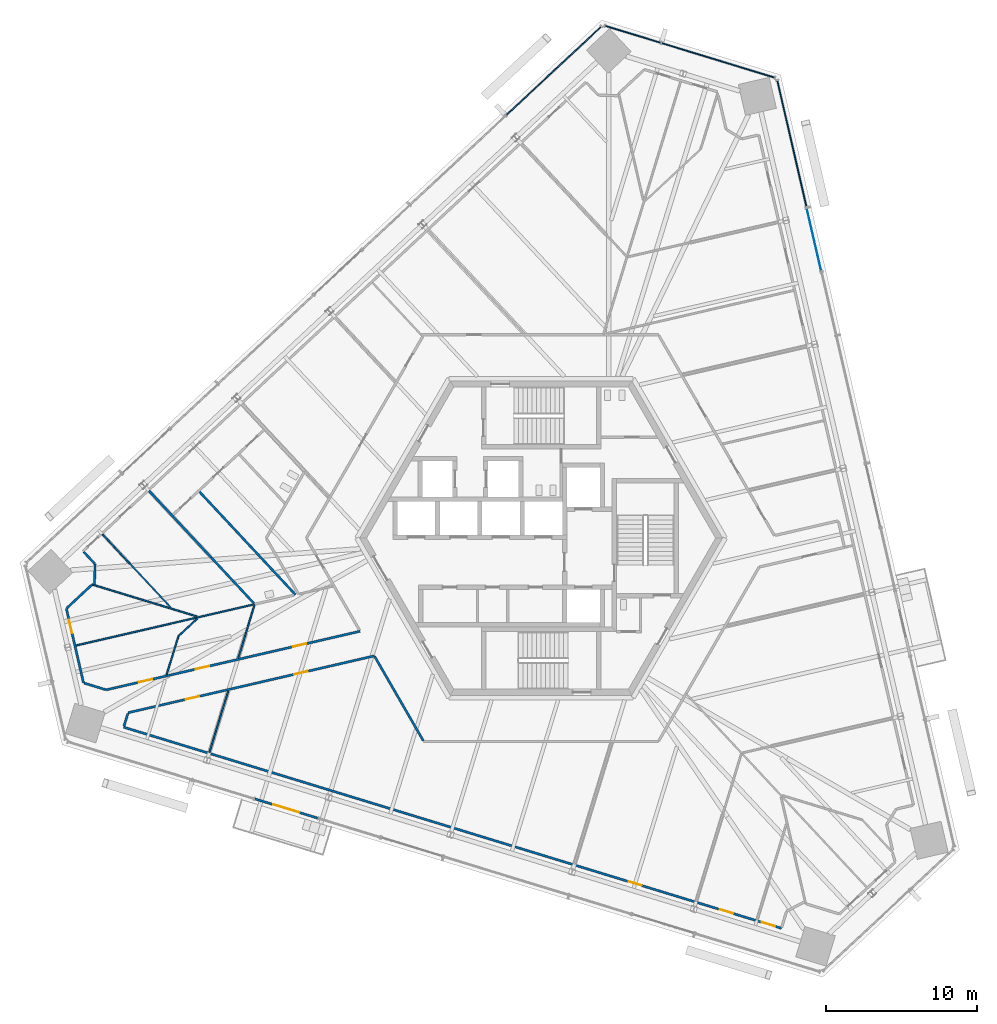
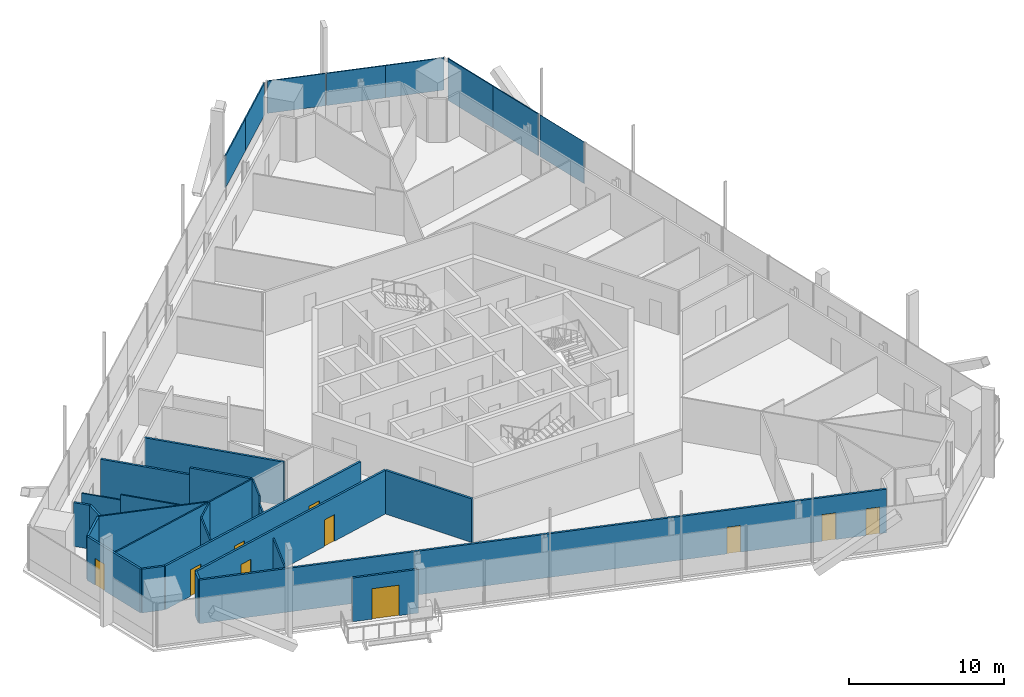
# One storey, part 12 of 24: 23 walls, 10 doors, 8 plates, 10 openings, 4 elements without a shape of their own.
"""IFC4 building model written with IfcOpenShell, lengths in metres."""

from ifc_helpers import new_model, si_unit, direction, frame, frame_2d, origin, origin_2d, place, context, subcontext, project, spatial, rectangle, extrude, source, transform, mapped, material, layer, layer_set, type_object, element, fill, aggregate, save


model = new_model("IFC4")

# Units and contexts
model_context = context("Model", 3, precision=1e-05, world=origin(), true_north=direction((0.0, 1.0)))
body_context = subcontext(model_context, "Body", "Model", "MODEL_VIEW")
ifc_project = project(units=[si_unit("LENGTHUNIT", "METRE"), si_unit("AREAUNIT", "SQUARE_METRE"), si_unit("VOLUMEUNIT", "CUBIC_METRE"), si_unit("PLANEANGLEUNIT", "RADIAN"), si_unit("MASSUNIT", "GRAM", prefix="KILO")], contexts=[model_context])

# Site, building, storey
site_placement = place(None, origin())
site = spatial("IfcSite", under=ifc_project, at=site_placement, CompositionType="ELEMENT")
building_placement = place(site_placement, origin())
building = spatial("IfcBuilding", under=site, at=building_placement, Name="Triune Harvest Tower", CompositionType="ELEMENT")
storey_placement = place(building_placement, frame((0.0, 0.0, 127.10009765625)))
storey = spatial("IfcBuildingStorey", under=building, at=storey_placement, Name="L32", CompositionType="ELEMENT", Elevation=127.10009765625)

# Curtain wall, plates
ifc_material_1 = material(Name="Aluminium bronze anodised", Category="aluminium")
curtain_wall_type_1 = type_object("IfcCurtainWallType", Name="CW-7 Tower stick curtain wall with insulated spandrel infill", PredefinedType="NOTDEFINED", material=ifc_material_1)
curtain_wall_1_placement = place(storey_placement, origin())
curtain_wall_1 = element("IfcCurtainWall", 1, at=curtain_wall_1_placement, inside=storey, type_object=curtain_wall_type_1, Name="CW-7 B3-F3 L32 run 1")
ifc_material_2 = material(Name="Insulated spandrel panel, bronze aluminium pan", Category="aluminium")
ifc_layer_1 = layer(ifc_material_2, 0.080078125)
ifc_layer_set_1 = layer_set([ifc_layer_1], Name="Insulated spandrel panel, bronze aluminium pan")
plate_type_1 = type_object("IfcPlateType", Name="SP-1 insulated spandrel panel 80", PredefinedType="CURTAIN_PANEL", material=ifc_layer_set_1)
shared_shape_1 = source(origin(), body_context, "Body", "SweptSolid", [
    extrude(rectangle(XDim=4.263427734375, YDim=0.080078125, at=origin_2d()), origin(), (0.0, 0.0, 1.0), 2.5400390625),
])
plate_1_placement = place(storey_placement, frame((2.40283203125, 32.35498046875, 0.89990234375), z_axis=(0.0, 0.0, 1.0), x_axis=(-0.731354894691, -0.681997080647, 0.0)))
plate_1 = element("IfcPlate", 2, at=plate_1_placement, type_object=plate_type_1, Name="CW-7 panel B3-F3 1.1", PredefinedType="CURTAIN_PANEL", context=body_context, shape_type="MappedRepresentation", body=[
    mapped(shared_shape_1, transform((0.0, 0.0, 0.0), scale=1.0)),
])
shared_shape_2 = source(origin(), body_context, "Body", "SweptSolid", [
    extrude(rectangle(XDim=4.30078125, YDim=0.080078125, at=origin_2d()), origin(), (0.0, 0.0, 1.0), 2.5400390625),
])
plate_2_placement = place(storey_placement, frame((-0.728759765625, 29.4345703125, 0.89990234375), z_axis=(0.0, 0.0, 1.0), x_axis=(-0.731354894691, -0.681997080647, 0.0)))
plate_2 = element("IfcPlate", 3, at=plate_2_placement, type_object=plate_type_1, Name="CW-7 panel B3-F3 1.2", PredefinedType="CURTAIN_PANEL", context=body_context, shape_type="MappedRepresentation", body=[
    mapped(shared_shape_2, transform((0.0, 0.0, 0.0), scale=1.0)),
])
aggregate(curtain_wall_1, [plate_1, plate_2])

ifc_material_3 = material(Name="Aluminium bronze anodised", Category="aluminium")
curtain_wall_type_2 = type_object("IfcCurtainWallType", Name="CW-10 Balcony window wall with insulated spandrel infill", PredefinedType="NOTDEFINED", material=ifc_material_3)
curtain_wall_2_placement = place(storey_placement, origin())
curtain_wall_2 = element("IfcCurtainWall", 4, at=curtain_wall_2_placement, inside=storey, type_object=curtain_wall_type_2, Name="CW-10 B3-F1 L32 run 4002")
shared_shape_3 = source(origin(), body_context, "Body", "SweptSolid", [
    extrude(rectangle(XDim=4.26708984375, YDim=0.080078125, at=origin_2d()), origin(), (0.0, 0.0, 1.0), 3.2900390625),
])
plate_3_placement = place(storey_placement, frame((17.06103515625, 24.007568359375, 0.14990234375), z_axis=(0.0, 0.0, 1.0), x_axis=(-0.224955269713, 0.974369091581, 0.0)))
plate_3 = element("IfcPlate", 5, at=plate_3_placement, type_object=plate_type_1, Name="CW-10 panel B3-F1 4002.1", PredefinedType="CURTAIN_PANEL", context=body_context, shape_type="MappedRepresentation", body=[
    mapped(shared_shape_3, transform((0.0, 0.0, 0.0), scale=1.0)),
])
plate_4_placement = place(storey_placement, frame((16.10107421875, 28.165283203125, 0.14990234375), z_axis=(0.0, 0.0, 1.0), x_axis=(-0.224955269713, 0.974369091581, 0.0)))
plate_4 = element("IfcPlate", 6, at=plate_4_placement, type_object=plate_type_1, Name="CW-10 panel B3-F1 4002.2", PredefinedType="CURTAIN_PANEL", context=body_context, shape_type="MappedRepresentation", body=[
    mapped(shared_shape_3, transform((0.0, 0.0, 0.0), scale=1.0)),
])
aggregate(curtain_wall_2, [plate_3, plate_4])

# Curtain wall, plate
ifc_material_4 = material(Name="Aluminium bronze anodised", Category="aluminium")
curtain_wall_type_3 = type_object("IfcCurtainWallType", Name="CW-6 Balcony window wall", PredefinedType="NOTDEFINED", material=ifc_material_4)
curtain_wall_3_placement = place(storey_placement, origin())
curtain_wall_3 = element("IfcCurtainWall", 7, at=curtain_wall_3_placement, inside=storey, type_object=curtain_wall_type_3, Name="CW-6 B3-F1 L32 run 3002")
ifc_material_5 = material(Name="Glass", Category="glass")
ifc_layer_2 = layer(ifc_material_5, 0.030029296875)
ifc_layer_set_2 = layer_set([ifc_layer_2], Name="Glass")
plate_type_2 = type_object("IfcPlateType", Name="GL-6 panel 30", PredefinedType="CURTAIN_PANEL", material=ifc_layer_set_2)
shared_shape_4 = source(origin(), body_context, "Body", "SweptSolid", [
    extrude(rectangle(XDim=4.192138671875, YDim=0.030029296875, at=origin_2d()), origin(), (0.0, 0.0, 1.0), 3.2900390625),
])
plate_5_placement = place(storey_placement, frame((18.046142578125, 19.740234375, 0.14990234375), z_axis=(0.0, 0.0, 1.0), x_axis=(-0.224938559974, 0.974372949253, 0.0)))
plate_5 = element("IfcPlate", 8, at=plate_5_placement, type_object=plate_type_2, Name="CW-6 panel B3-F1 3002.1", PredefinedType="CURTAIN_PANEL", context=body_context, shape_type="MappedRepresentation", body=[
    mapped(shared_shape_4, transform((0.0, 0.0, 0.0), scale=1.0)),
])
aggregate(curtain_wall_3, [plate_5])

# Curtain wall, plates
curtain_wall_4_placement = place(storey_placement, origin())
curtain_wall_4 = element("IfcCurtainWall", 9, at=curtain_wall_4_placement, inside=storey, type_object=curtain_wall_type_1, Name="CW-7 B3-F2 L32 run 1")
shared_shape_5 = source(origin(), body_context, "Body", "SweptSolid", [
    extrude(rectangle(XDim=3.8740234375, YDim=0.080078125, at=origin_2d()), origin(), (0.0, 0.0, 1.0), 2.5400390625),
])
plate_6_placement = place(storey_placement, frame((13.573974609375, 31.01953125, 0.89990234375), z_axis=(0.0, 0.0, 1.0), x_axis=(-0.956303148607, 0.292376962095, 0.0)))
plate_6 = element("IfcPlate", 10, at=plate_6_placement, type_object=plate_type_1, Name="CW-7 panel B3-F2 1.1", PredefinedType="CURTAIN_PANEL", context=body_context, shape_type="MappedRepresentation", body=[
    mapped(shared_shape_5, transform((0.0, 0.0, 0.0), scale=1.0)),
])
shared_shape_6 = source(origin(), body_context, "Body", "SweptSolid", [
    extrude(rectangle(XDim=3.911376953125, YDim=0.080078125, at=origin_2d()), origin(), (0.0, 0.0, 1.0), 2.5400390625),
])
plate_7_placement = place(storey_placement, frame((9.851318359375, 32.15771484375, 0.89990234375), z_axis=(0.0, 0.0, 1.0), x_axis=(-0.956303148607, 0.292376962095, 0.0)))
plate_7 = element("IfcPlate", 11, at=plate_7_placement, type_object=plate_type_1, Name="CW-7 panel B3-F2 1.2", PredefinedType="CURTAIN_PANEL", context=body_context, shape_type="MappedRepresentation", body=[
    mapped(shared_shape_6, transform((0.0, 0.0, 0.0), scale=1.0)),
])
shared_shape_7 = source(origin(), body_context, "Body", "SweptSolid", [
    extrude(rectangle(XDim=3.83642578125, YDim=0.080078125, at=origin_2d()), origin(), (0.0, 0.0, 1.0), 2.5400390625),
])
plate_8_placement = place(storey_placement, frame((6.07470703125, 33.312255859375, 0.89990234375), z_axis=(0.0, 0.0, 1.0), x_axis=(-0.956303148607, 0.292376962095, 0.0)))
plate_8 = element("IfcPlate", 12, at=plate_8_placement, type_object=plate_type_1, Name="CW-7 panel B3-F2 1.3", PredefinedType="CURTAIN_PANEL", context=body_context, shape_type="MappedRepresentation", body=[
    mapped(shared_shape_7, transform((0.0, 0.0, 0.0), scale=1.0)),
])
aggregate(curtain_wall_4, [plate_6, plate_7, plate_8])

# Walls
ifc_material_6 = material(Name="Gypsum board on steel studs", Category="steel")
ifc_layer_3 = layer(ifc_material_6, 0.14990234375)
ifc_layer_set_3 = layer_set([ifc_layer_3], Name="Gypsum board on steel studs")
wall_type_1 = type_object("IfcWallType", Name="Fire Partition 150 mm", PredefinedType="PARTITIONING", material=ifc_layer_set_3)
wall_1_placement = place(storey_placement, frame((-11.0009765625, -7.830322265625, 0.0), z_axis=(0.0, 0.0, 1.0), x_axis=(0.500006199568, -0.866021824432, 0.0)))
element("IfcWall", 13, at=wall_1_placement, inside=storey, type_object=wall_type_1, Name="Partition L32 010", PredefinedType="PARTITIONING", context=body_context, shape_type="SweptSolid", body=[
    extrude(rectangle(XDim=6.43017578125, YDim=0.14990234375, at=frame_2d((3.215087890625, 0.0))), origin(), (0.0, 0.0, 1.0), 3.43994140625),
])
wall_2_placement = place(storey_placement, frame((-25.9248046875, 3.125, 0.0), z_axis=(0.0, 0.0, 1.0), x_axis=(0.682053920924, -0.731301886332, 0.0)))
element("IfcWall", 14, at=wall_2_placement, inside=storey, type_object=wall_type_1, Name="Partition L32 014", PredefinedType="PARTITIONING", context=body_context, shape_type="SweptSolid", body=[
    extrude(rectangle(XDim=6.023193359375, YDim=0.14990234375, at=frame_2d((3.01171875, 0.0))), origin(), (0.0, 0.0, 1.0), 2.90380859375),
])
wall_3_placement = place(storey_placement, frame((-21.816650390625, -1.27978515625, 0.0), z_axis=(0.0, 0.0, 1.0), x_axis=(0.682043462424, -0.731311640386, 0.0)))
element("IfcWall", 15, at=wall_3_placement, inside=storey, type_object=wall_type_1, Name="Partition L32 014a", PredefinedType="PARTITIONING", context=body_context, shape_type="SweptSolid", body=[
    extrude(rectangle(XDim=4.147705078125, YDim=0.14990234375, at=frame_2d((2.07373046875, 0.0))), origin(), (0.0, 0.0, 1.0), 3.43994140625),
])
wall_4_placement = place(storey_placement, frame((-22.640380859375, 3.1220703125, 0.0), z_axis=(0.0, 0.0, 1.0), x_axis=(0.68199777606, -0.73135424621, 0.0)))
element("IfcWall", 16, at=wall_4_placement, inside=storey, type_object=wall_type_1, Name="Partition L32 015", PredefinedType="PARTITIONING", context=body_context, shape_type="SweptSolid", body=[
    extrude(rectangle(XDim=9.393310546875, YDim=0.14990234375, at=frame_2d((4.69677734375, 0.0))), origin(), (0.0, 0.0, 1.0), 3.43994140625),
])
wall_5_placement = place(storey_placement, frame((-30.216064453125, -9.585205078125, 0.0), z_axis=(0.0, 0.0, 1.0), x_axis=(0.956305137451, -0.292370456929, 0.0)))
element("IfcWall", 17, at=wall_5_placement, inside=storey, type_object=wall_type_1, Name="Partition L32 028", PredefinedType="PARTITIONING", context=body_context, shape_type="SweptSolid", body=[
    extrude(rectangle(XDim=1.510498046875, YDim=0.14990234375, at=frame_2d((0.75537109375, 0.0))), origin(), (0.0, 0.0, 1.0), 3.43994140625),
])

# Wall, openings, doors
wall_6_placement = place(storey_placement, frame((-27.3076171875, -11.545166015625, 0.0), z_axis=(0.0, 0.0, 1.0), x_axis=(0.97437444812, 0.22493206719, 0.0)))
wall_6 = element("IfcWall", 18, at=wall_6_placement, inside=storey, type_object=wall_type_1, Name="Partition L32 039", PredefinedType="PARTITIONING", context=body_context, shape_type="SweptSolid", body=[
    extrude(rectangle(XDim=16.709716796875, YDim=0.14990234375, at=frame_2d((8.35498046875, 0.0))), origin(), (0.0, 0.0, 1.0), 3.43994140625),
])
opening_1_placement = place(wall_6_placement, frame((3.915771484375, 0.0, 0.0)))
opening_1 = element("IfcOpeningElement", 19, at=opening_1_placement, cuts=wall_6, Name="Opening L32-026", PredefinedType="OPENING", context=body_context, shape_type="SweptSolid", body=[
    extrude(rectangle(XDim=0.89990234375, YDim=2.10009765625, at=frame_2d((0.449951171875, 1.050048828125))), frame((0.0, 0.0849609375, 0.0), z_axis=(0.0, -1.0, 0.0), x_axis=(1.0, 0.0, 0.0)), (0.0, 0.0, 1.0), 0.169921875),
])
opening_2_placement = place(wall_6_placement, frame((11.273681640625, 0.0, 0.0)))
opening_2 = element("IfcOpeningElement", 20, at=opening_2_placement, cuts=wall_6, Name="Opening L32-029", PredefinedType="OPENING", context=body_context, shape_type="SweptSolid", body=[
    extrude(rectangle(XDim=0.89990234375, YDim=2.10009765625, at=frame_2d((0.449951171875, 1.050048828125))), frame((0.0, 0.0849609375, 0.0), z_axis=(0.0, -1.0, 0.0), x_axis=(1.0, 0.0, 0.0)), (0.0, 0.0, 1.0), 0.169921875),
])
ifc_material_7 = material(Name="Timber and steel door set", Category="steel")
door_type_1 = type_object("IfcDoorType", Name="Single leaf door FD30 left hand 900 x 2100", OperationType="SINGLE_SWING_LEFT", PredefinedType="DOOR", material=ifc_material_7)
door_1_placement = place(opening_2_placement, origin())
door_1 = element("IfcDoor", 21, at=door_1_placement, inside=storey, type_object=door_type_1, Name="Door L32-029 Open Office 32.29", OperationType="SINGLE_SWING_LEFT", OverallHeight=2.10009765625, OverallWidth=0.89990234375, PredefinedType="DOOR", context=body_context, shape_type="SweptSolid", body=[
    extrude(rectangle(XDim=0.89990234375, YDim=2.10009765625, at=frame_2d((0.449951171875, 1.050048828125))), frame((0.0, 0.02490234375, 0.0), z_axis=(0.0, -1.0, 0.0), x_axis=(1.0, 0.0, 0.0)), (0.0, 0.0, 1.0), 0.050048828125),
])
fill(opening_2, door_1)
ifc_material_8 = material(Name="Timber and steel door set", Category="steel")
door_type_2 = type_object("IfcDoorType", Name="Single leaf door FD30 right hand 900 x 2100", OperationType="SINGLE_SWING_RIGHT", PredefinedType="DOOR", material=ifc_material_8)
door_2_placement = place(opening_1_placement, origin())
door_2 = element("IfcDoor", 22, at=door_2_placement, inside=storey, type_object=door_type_2, Name="Door L32-026 Office 32.26", OperationType="SINGLE_SWING_RIGHT", OverallHeight=2.10009765625, OverallWidth=0.89990234375, PredefinedType="DOOR", context=body_context, shape_type="SweptSolid", body=[
    extrude(rectangle(XDim=0.89990234375, YDim=2.10009765625, at=frame_2d((0.449951171875, 1.050048828125))), frame((0.0, 0.02490234375, 0.0), z_axis=(0.0, -1.0, 0.0), x_axis=(1.0, 0.0, 0.0)), (0.0, 0.0, 1.0), 0.050048828125),
])
fill(opening_1, door_2)

wall_7_placement = place(storey_placement, frame((-28.753173828125, -10.0322265625, 0.0), z_axis=(0.0, 0.0, 1.0), x_axis=(0.974371845678, 0.224943340311, 0.0)))
wall_7 = element("IfcWall", 23, at=wall_7_placement, inside=storey, type_object=wall_type_1, Name="Partition L32 042", PredefinedType="PARTITIONING", context=body_context, shape_type="SweptSolid", body=[
    extrude(rectangle(XDim=17.2275390625, YDim=0.14990234375, at=frame_2d((8.61376953125, 0.0))), origin(), (0.0, 0.0, 1.0), 3.43994140625),
])
opening_3_placement = place(wall_7_placement, frame((2.22314453125, 0.0, 0.0)))
opening_3 = element("IfcOpeningElement", 24, at=opening_3_placement, cuts=wall_7, Name="Opening L32-025", PredefinedType="OPENING", context=body_context, shape_type="SweptSolid", body=[
    extrude(rectangle(XDim=0.89990234375, YDim=2.10009765625, at=frame_2d((0.449951171875, 1.050048828125))), frame((0.0, 0.0849609375, 0.0), z_axis=(0.0, -1.0, 0.0), x_axis=(1.0, 0.0, 0.0)), (0.0, 0.0, 1.0), 0.169921875),
])
opening_4_placement = place(wall_7_placement, frame((6.081298828125, 0.0, 0.0)))
opening_4 = element("IfcOpeningElement", 25, at=opening_4_placement, cuts=wall_7, Name="Opening L32-027", PredefinedType="OPENING", context=body_context, shape_type="SweptSolid", body=[
    extrude(rectangle(XDim=0.89990234375, YDim=2.10009765625, at=frame_2d((0.449951171875, 1.050048828125))), frame((0.0, 0.0849609375, 0.0), z_axis=(0.0, -1.0, 0.0), x_axis=(1.0, 0.0, 0.0)), (0.0, 0.0, 1.0), 0.169921875),
])
opening_5_placement = place(wall_7_placement, frame((12.677490234375, 0.0, 0.0)))
opening_5 = element("IfcOpeningElement", 26, at=opening_5_placement, cuts=wall_7, Name="Opening L32-028", PredefinedType="OPENING", context=body_context, shape_type="SweptSolid", body=[
    extrude(rectangle(XDim=0.89990234375, YDim=2.10009765625, at=frame_2d((0.449951171875, 1.050048828125))), frame((0.0, 0.0849609375, 0.0), z_axis=(0.0, -1.0, 0.0), x_axis=(1.0, 0.0, 0.0)), (0.0, 0.0, 1.0), 0.169921875),
])
door_3_placement = place(opening_3_placement, origin())
door_3 = element("IfcDoor", 27, at=door_3_placement, inside=storey, type_object=door_type_1, Name="Door L32-025 Pantry 32.25", OperationType="SINGLE_SWING_LEFT", OverallHeight=2.10009765625, OverallWidth=0.89990234375, PredefinedType="DOOR", context=body_context, shape_type="SweptSolid", body=[
    extrude(rectangle(XDim=0.89990234375, YDim=2.10009765625, at=frame_2d((0.449951171875, 1.050048828125))), frame((0.0, 0.02490234375, 0.0), z_axis=(0.0, -1.0, 0.0), x_axis=(1.0, 0.0, 0.0)), (0.0, 0.0, 1.0), 0.050048828125),
])
fill(opening_3, door_3)
door_4_placement = place(opening_4_placement, origin())
door_4 = element("IfcDoor", 28, at=door_4_placement, inside=storey, type_object=door_type_1, Name="Door L32-027 Office 32.27", OperationType="SINGLE_SWING_LEFT", OverallHeight=2.10009765625, OverallWidth=0.89990234375, PredefinedType="DOOR", context=body_context, shape_type="SweptSolid", body=[
    extrude(rectangle(XDim=0.89990234375, YDim=2.10009765625, at=frame_2d((0.449951171875, 1.050048828125))), frame((0.0, 0.02490234375, 0.0), z_axis=(0.0, -1.0, 0.0), x_axis=(1.0, 0.0, 0.0)), (0.0, 0.0, 1.0), 0.050048828125),
])
fill(opening_4, door_4)
door_5_placement = place(opening_5_placement, origin())
door_5 = element("IfcDoor", 29, at=door_5_placement, inside=storey, type_object=door_type_2, Name="Door L32-028 Dry Store Room 32.28", OperationType="SINGLE_SWING_RIGHT", OverallHeight=2.10009765625, OverallWidth=0.89990234375, PredefinedType="DOOR", context=body_context, shape_type="SweptSolid", body=[
    extrude(rectangle(XDim=0.89990234375, YDim=2.10009765625, at=frame_2d((0.449951171875, 1.050048828125))), frame((0.0, 0.02490234375, 0.0), z_axis=(0.0, -1.0, 0.0), x_axis=(1.0, 0.0, 0.0)), (0.0, 0.0, 1.0), 0.050048828125),
])
fill(opening_5, door_5)

# Walls
wall_8_placement = place(storey_placement, frame((-27.581787109375, -12.44384765625, 0.0), z_axis=(0.0, 0.0, 1.0), x_axis=(0.2922324912, 0.956347306729, 0.0)))
element("IfcWall", 30, at=wall_8_placement, inside=storey, type_object=wall_type_1, Name="Partition L32 074", PredefinedType="PARTITIONING", context=body_context, shape_type="SweptSolid", body=[
    extrude(rectangle(XDim=0.888916015625, YDim=0.14990234375, at=frame_2d((0.4443359375, 0.0))), origin(), (0.0, 0.0, 1.0), 3.43994140625),
])
ifc_material_9 = material(Name="Gypsum board on steel studs", Category="steel")
ifc_layer_4 = layer(ifc_material_9, 0.10009765625)
ifc_layer_set_4 = layer_set([ifc_layer_4], Name="Gypsum board on steel studs")
wall_type_2 = type_object("IfcWallType", Name="Partition 100 mm", PredefinedType="PARTITIONING", material=ifc_layer_set_4)
wall_9_placement = place(storey_placement, frame((-29.00048828125, 0.25439453125, 0.0), z_axis=(0.0, 0.0, 1.0), x_axis=(0.681998761648, -0.731353327134, 0.0)))
element("IfcWall", 31, at=wall_9_placement, inside=storey, type_object=wall_type_2, Name="Partition L32 013", PredefinedType="PARTITIONING", context=body_context, shape_type="SweptSolid", body=[
    extrude(rectangle(XDim=2.6416015625, YDim=0.10009765625, at=frame_2d((1.32080078125, 0.0))), origin(), (0.0, 0.0, 1.0), 3.023193359375),
])
wall_10_placement = place(storey_placement, frame((-27.198974609375, -1.677490234375, 0.0), z_axis=(0.0, 0.0, 1.0), x_axis=(0.681979413994, -0.731371368655, 0.0)))
element("IfcWall", 32, at=wall_10_placement, inside=storey, type_object=wall_type_2, Name="Partition L32 013a", PredefinedType="PARTITIONING", context=body_context, shape_type="SweptSolid", body=[
    extrude(rectangle(XDim=3.954345703125, YDim=0.10009765625, at=frame_2d((1.97705078125, 0.0))), origin(), (0.0, 0.0, 1.0), 3.43994140625),
])
wall_11_placement = place(storey_placement, frame((-29.680419921875, -3.06494140625, 0.0), z_axis=(0.0, 0.0, 1.0), x_axis=(0.956303133035, -0.29237701303, 0.0)))
element("IfcWall", 33, at=wall_11_placement, inside=storey, type_object=wall_type_2, Name="Partition L32 030", PredefinedType="PARTITIONING", context=body_context, shape_type="SweptSolid", body=[
    extrude(rectangle(XDim=7.240478515625, YDim=0.10009765625, at=frame_2d((3.6201171875, 0.0))), origin(), (0.0, 0.0, 1.0), 3.43994140625),
])
wall_12_placement = place(storey_placement, frame((-30.822021484375, -7.115966796875, 0.0), z_axis=(0.0, 0.0, 1.0), x_axis=(0.974368594711, 0.224957421842, 0.0)))
element("IfcWall", 34, at=wall_12_placement, inside=storey, type_object=wall_type_2, Name="Partition L32 044", PredefinedType="PARTITIONING", context=body_context, shape_type="SweptSolid", body=[
    extrude(rectangle(XDim=12.20068359375, YDim=0.10009765625, at=frame_2d((6.100341796875, 0.0))), origin(), (0.0, 0.0, 1.0), 3.43994140625),
])
wall_13_placement = place(storey_placement, frame((-21.9306640625, -14.171630859375, 0.0), z_axis=(0.0, 0.0, 1.0), x_axis=(0.292406324762, 0.95629417087, 0.0)))
element("IfcWall", 35, at=wall_13_placement, inside=storey, type_object=wall_type_2, Name="Partition L32 071", PredefinedType="PARTITIONING", context=body_context, shape_type="SweptSolid", body=[
    extrude(rectangle(XDim=4.2607421875, YDim=0.10009765625, at=frame_2d((2.13037109375, 0.0))), origin(), (0.0, 0.0, 1.0), 2.82763671875),
])
wall_14_placement = place(storey_placement, frame((-20.0244140625, -7.93701171875, 0.0), z_axis=(0.0, 0.0, 1.0), x_axis=(0.292307792854, 0.956324293447, 0.0)))
element("IfcWall", 36, at=wall_14_placement, inside=storey, type_object=wall_type_2, Name="Partition L32 072", PredefinedType="PARTITIONING", context=body_context, shape_type="SweptSolid", body=[
    extrude(rectangle(XDim=1.7373046875, YDim=0.10009765625, at=frame_2d((0.86865234375, 0.0))), origin(), (0.0, 0.0, 1.0), 2.82763671875),
])
wall_15_placement = place(storey_placement, frame((-24.758056640625, -9.030029296875, 0.0), z_axis=(0.0, 0.0, 1.0), x_axis=(0.292354002492, 0.956310167899, 0.0)))
element("IfcWall", 37, at=wall_15_placement, inside=storey, type_object=wall_type_2, Name="Partition L32 073", PredefinedType="PARTITIONING", context=body_context, shape_type="SweptSolid", body=[
    extrude(rectangle(XDim=2.655517578125, YDim=0.10009765625, at=frame_2d((1.32763671875, 0.0))), origin(), (0.0, 0.0, 1.0), 3.43994140625),
])

# Wall, opening, door
ifc_material_10 = material(Name="Aluminium bronze anodised", Category="aluminium")
ifc_layer_5 = layer(ifc_material_10, 0.14990234375)
ifc_layer_set_5 = layer_set([ifc_layer_5], Name="Aluminium bronze anodised")
wall_type_3 = type_object("IfcWallType", Name="WW-2 balcony window wall", PredefinedType="ELEMENTEDWALL", material=ifc_layer_set_5)
shared_shape_8 = source(origin(), body_context, "Body", "SweptSolid", [
    extrude(rectangle(XDim=4.353271484375, YDim=0.14990234375, at=frame_2d((2.1767578125, 0.0))), origin(), (0.0, 0.0, 1.0), 3.43994140625),
])
wall_16_placement = place(storey_placement, frame((-14.765625, -18.51611328125, 0.0), z_axis=(0.0, 0.0, 1.0), x_axis=(-0.956309766943, 0.292355314044, 0.0)))
wall_16 = element("IfcWall", 38, at=wall_16_placement, inside=storey, type_object=wall_type_3, Name="WW-2 B3-F5 L32.4", PredefinedType="ELEMENTEDWALL", context=body_context, shape_type="MappedRepresentation", body=[
    mapped(shared_shape_8, transform((0.0, 0.0, 0.0), scale=1.0)),
])
opening_6_placement = place(wall_16_placement, frame((1.276611328125, 0.0, 0.0)))
opening_6 = element("IfcOpeningElement", 39, at=opening_6_placement, cuts=wall_16, Name="Opening L32-E02", PredefinedType="OPENING", context=body_context, shape_type="SweptSolid", body=[
    extrude(rectangle(XDim=1.800048828125, YDim=2.39990234375, at=frame_2d((0.89990234375, 1.199951171875))), frame((0.0, 0.0849609375, 0.0), z_axis=(0.0, -1.0, 0.0), x_axis=(1.0, 0.0, 0.0)), (0.0, 0.0, 1.0), 0.169921875),
])
ifc_material_11 = material(Name="Glass", Category="glass")
door_type_3 = type_object("IfcDoorType", Name="DB-1 balcony door 1800 x 2400", OperationType="DOUBLE_DOOR_SINGLE_SWING", PredefinedType="DOOR", material=ifc_material_11)
door_6_placement = place(opening_6_placement, origin())
door_6 = element("IfcDoor", 40, at=door_6_placement, inside=storey, type_object=door_type_3, Name="Door L32-E02", OperationType="DOUBLE_DOOR_SINGLE_SWING", OverallHeight=2.39990234375, OverallWidth=1.800048828125, PredefinedType="DOOR", context=body_context, shape_type="SweptSolid", body=[
    extrude(rectangle(XDim=1.800048828125, YDim=2.39990234375, at=frame_2d((0.89990234375, 1.199951171875))), frame((0.0, 0.02490234375, 0.0), z_axis=(0.0, -1.0, 0.0), x_axis=(1.0, 0.0, 0.0)), (0.0, 0.0, 1.0), 0.050048828125),
])
fill(opening_6, door_6)

# Walls
shared_shape_9 = source(origin(), body_context, "Body", "SweptSolid", [
    extrude(rectangle(XDim=1.708984375, YDim=0.10009765625, at=frame_2d((0.8544921875, 0.0))), origin(), (0.0, 0.0, 1.0), 3.43994140625),
])
wall_17_placement = place(storey_placement, frame((-23.9814453125, -6.490478515625, 0.0), z_axis=(0.0, 0.0, 1.0), x_axis=(0.731321258855, 0.682033149009, 0.0)))
element("IfcWall", 41, at=wall_17_placement, inside=storey, type_object=wall_type_2, Name="Partition L32 055", PredefinedType="PARTITIONING", context=body_context, shape_type="MappedRepresentation", body=[
    mapped(shared_shape_9, transform((0.0, 0.0, 0.0), scale=1.0)),
])
shared_shape_10 = source(origin(), body_context, "Body", "SweptSolid", [
    extrude(rectangle(XDim=1.921630859375, YDim=0.10009765625, at=frame_2d((0.9609375, 0.0))), origin(), (0.0, 0.0, 1.0), 3.43994140625),
])
wall_18_placement = place(storey_placement, frame((-19.5166015625, -6.275634765625, 0.0), z_axis=(0.0, 0.0, 1.0), x_axis=(0.292460604597, 0.956277572025, 0.0)))
element("IfcWall", 42, at=wall_18_placement, inside=storey, type_object=wall_type_2, Name="Partition L32 072a", PredefinedType="PARTITIONING", context=body_context, shape_type="MappedRepresentation", body=[
    mapped(shared_shape_10, transform((0.0, 0.0, 0.0), scale=1.0)),
])

# Wall, opening, door
shared_shape_11 = source(origin(), body_context, "Body", "SweptSolid", [
    extrude(rectangle(XDim=5.044189453125, YDim=0.14990234375, at=frame_2d((2.52197265625, 0.0))), origin(), (0.0, 0.0, 1.0), 3.43994140625),
])
wall_19_placement = place(storey_placement, frame((-31.389404296875, -4.658447265625, 0.0), z_axis=(0.0, 0.0, 1.0), x_axis=(0.22496908792, -0.97436590123, 0.0)))
wall_19 = element("IfcWall", 43, at=wall_19_placement, inside=storey, type_object=wall_type_1, Name="Partition L32 001", PredefinedType="PARTITIONING", context=body_context, shape_type="MappedRepresentation", body=[
    mapped(shared_shape_11, transform((0.0, 0.0, 0.0), scale=1.0)),
])
opening_7_placement = place(wall_19_placement, frame((0.772216796875, 0.0, 0.0)))
opening_7 = element("IfcOpeningElement", 44, at=opening_7_placement, cuts=wall_19, Name="Opening L32-024", PredefinedType="OPENING", context=body_context, shape_type="SweptSolid", body=[
    extrude(rectangle(XDim=0.89990234375, YDim=2.10009765625, at=frame_2d((0.449951171875, 1.050048828125))), frame((0.0, 0.0849609375, 0.0), z_axis=(0.0, -1.0, 0.0), x_axis=(1.0, 0.0, 0.0)), (0.0, 0.0, 1.0), 0.169921875),
])
door_7_placement = place(opening_7_placement, origin())
door_7 = element("IfcDoor", 45, at=door_7_placement, inside=storey, type_object=door_type_1, Name="Door L32-024 Open Office 32.24", OperationType="SINGLE_SWING_LEFT", OverallHeight=2.10009765625, OverallWidth=0.89990234375, PredefinedType="DOOR", context=body_context, shape_type="SweptSolid", body=[
    extrude(rectangle(XDim=0.89990234375, YDim=2.10009765625, at=frame_2d((0.449951171875, 1.050048828125))), frame((0.0, 0.02490234375, 0.0), z_axis=(0.0, -1.0, 0.0), x_axis=(1.0, 0.0, 0.0)), (0.0, 0.0, 1.0), 0.050048828125),
])
fill(opening_7, door_7)

# Wall
shared_shape_12 = source(origin(), body_context, "Body", "SweptSolid", [
    extrude(rectangle(XDim=1.081298828125, YDim=0.14990234375, at=frame_2d((0.54052734375, 0.0))), origin(), (0.0, 0.0, 1.0), 3.43994140625),
])
wall_20_placement = place(storey_placement, frame((-30.245361328125, -0.90673828125, 0.0), z_axis=(0.0, 0.0, 1.0), x_axis=(0.682068838289, -0.73128797326, 0.0)))
element("IfcWall", 46, at=wall_20_placement, inside=storey, type_object=wall_type_1, Name="Partition L32 012", PredefinedType="PARTITIONING", context=body_context, shape_type="MappedRepresentation", body=[
    mapped(shared_shape_12, transform((0.0, 0.0, 0.0), scale=1.0)),
])

# Wall, openings, doors
shared_shape_13 = source(origin(), body_context, "Body", "SweptSolid", [
    extrude(rectangle(XDim=45.477294921875, YDim=0.14990234375, at=frame_2d((22.73876953125, 0.0))), origin(), (0.0, 0.0, 1.0), 3.43994140625),
])
wall_21_placement = place(storey_placement, frame((-27.599365234375, -12.5009765625, 0.0), z_axis=(0.0, 0.0, 1.0), x_axis=(0.956304216616, -0.29237346884, 0.0)))
wall_21 = element("IfcWall", 47, at=wall_21_placement, inside=storey, type_object=wall_type_1, Name="Partition L32 027", PredefinedType="PARTITIONING", context=body_context, shape_type="MappedRepresentation", body=[
    mapped(shared_shape_13, transform((0.0, 0.0, 0.0), scale=1.0)),
])
opening_8_placement = place(wall_21_placement, frame((34.917236328125, 0.0, 0.0)))
opening_8 = element("IfcOpeningElement", 48, at=opening_8_placement, cuts=wall_21, Name="Opening L32-030", PredefinedType="OPENING", context=body_context, shape_type="SweptSolid", body=[
    extrude(rectangle(XDim=0.89990234375, YDim=2.10009765625, at=frame_2d((0.449951171875, 1.050048828125))), frame((0.0, 0.0849609375, 0.0), z_axis=(0.0, -1.0, 0.0), x_axis=(1.0, 0.0, 0.0)), (0.0, 0.0, 1.0), 0.169921875),
])
opening_9_placement = place(wall_21_placement, frame((41.224609375, 0.0, 0.0)))
opening_9 = element("IfcOpeningElement", 49, at=opening_9_placement, cuts=wall_21, Name="Opening L32-031", PredefinedType="OPENING", context=body_context, shape_type="SweptSolid", body=[
    extrude(rectangle(XDim=0.89990234375, YDim=2.10009765625, at=frame_2d((0.449951171875, 1.050048828125))), frame((0.0, 0.0849609375, 0.0), z_axis=(0.0, -1.0, 0.0), x_axis=(1.0, 0.0, 0.0)), (0.0, 0.0, 1.0), 0.169921875),
])
opening_10_placement = place(wall_21_placement, frame((44.126953125, 0.0, 0.0)))
opening_10 = element("IfcOpeningElement", 50, at=opening_10_placement, cuts=wall_21, Name="Opening L32-032", PredefinedType="OPENING", context=body_context, shape_type="SweptSolid", body=[
    extrude(rectangle(XDim=0.89990234375, YDim=2.10009765625, at=frame_2d((0.449951171875, 1.050048828125))), frame((0.0, 0.0849609375, 0.0), z_axis=(0.0, -1.0, 0.0), x_axis=(1.0, 0.0, 0.0)), (0.0, 0.0, 1.0), 0.169921875),
])
door_8_placement = place(opening_8_placement, origin())
door_8 = element("IfcDoor", 51, at=door_8_placement, inside=storey, type_object=door_type_2, Name="Door L32-030 Project Room 32.30", OperationType="SINGLE_SWING_RIGHT", OverallHeight=2.10009765625, OverallWidth=0.89990234375, PredefinedType="DOOR", context=body_context, shape_type="SweptSolid", body=[
    extrude(rectangle(XDim=0.89990234375, YDim=2.10009765625, at=frame_2d((0.449951171875, 1.050048828125))), frame((0.0, 0.02490234375, 0.0), z_axis=(0.0, -1.0, 0.0), x_axis=(1.0, 0.0, 0.0)), (0.0, 0.0, 1.0), 0.050048828125),
])
fill(opening_8, door_8)
door_9_placement = place(opening_9_placement, origin())
door_9 = element("IfcDoor", 52, at=door_9_placement, inside=storey, type_object=door_type_2, Name="Door L32-031 Office 32.31", OperationType="SINGLE_SWING_RIGHT", OverallHeight=2.10009765625, OverallWidth=0.89990234375, PredefinedType="DOOR", context=body_context, shape_type="SweptSolid", body=[
    extrude(rectangle(XDim=0.89990234375, YDim=2.10009765625, at=frame_2d((0.449951171875, 1.050048828125))), frame((0.0, 0.02490234375, 0.0), z_axis=(0.0, -1.0, 0.0), x_axis=(1.0, 0.0, 0.0)), (0.0, 0.0, 1.0), 0.050048828125),
])
fill(opening_9, door_9)
door_10_placement = place(opening_10_placement, origin())
door_10 = element("IfcDoor", 53, at=door_10_placement, inside=storey, type_object=door_type_2, Name="Door L32-032 Office 32.32", OperationType="SINGLE_SWING_RIGHT", OverallHeight=2.10009765625, OverallWidth=0.89990234375, PredefinedType="DOOR", context=body_context, shape_type="SweptSolid", body=[
    extrude(rectangle(XDim=0.89990234375, YDim=2.10009765625, at=frame_2d((0.449951171875, 1.050048828125))), frame((0.0, 0.02490234375, 0.0), z_axis=(0.0, -1.0, 0.0), x_axis=(1.0, 0.0, 0.0)), (0.0, 0.0, 1.0), 0.050048828125),
])
fill(opening_10, door_10)

# Walls
shared_shape_14 = source(origin(), body_context, "Body", "SweptSolid", [
    extrude(rectangle(XDim=1.34033203125, YDim=0.14990234375, at=frame_2d((0.670166015625, 0.0))), origin(), (0.0, 0.0, 1.0), 3.43994140625),
])
wall_22_placement = place(storey_placement, frame((-29.5341796875, -3.05908203125, 0.0), z_axis=(0.0, 0.0, 1.0), x_axis=(0.034970396016, 0.999388348643, 0.0)))
element("IfcWall", 54, at=wall_22_placement, inside=storey, type_object=wall_type_1, Name="Partition L32 075", PredefinedType="PARTITIONING", context=body_context, shape_type="MappedRepresentation", body=[
    mapped(shared_shape_14, transform((0.0, 0.0, 0.0), scale=1.0)),
])
shared_shape_15 = source(origin(), body_context, "Body", "SweptSolid", [
    extrude(rectangle(XDim=2.256591796875, YDim=0.14990234375, at=frame_2d((1.12841796875, 0.0))), origin(), (0.0, 0.0, 1.0), 3.43994140625),
])
wall_23_placement = place(storey_placement, frame((-31.352783203125, -4.624755859375, 0.0), z_axis=(0.0, 0.0, 1.0), x_axis=(0.731343016167, 0.682009818627, 0.0)))
element("IfcWall", 55, at=wall_23_placement, inside=storey, type_object=wall_type_1, Name="Partition L32 058", PredefinedType="PARTITIONING", context=body_context, shape_type="MappedRepresentation", body=[
    mapped(shared_shape_15, transform((0.0, 0.0, 0.0), scale=1.0)),
])

save(model, "model.ifc")
